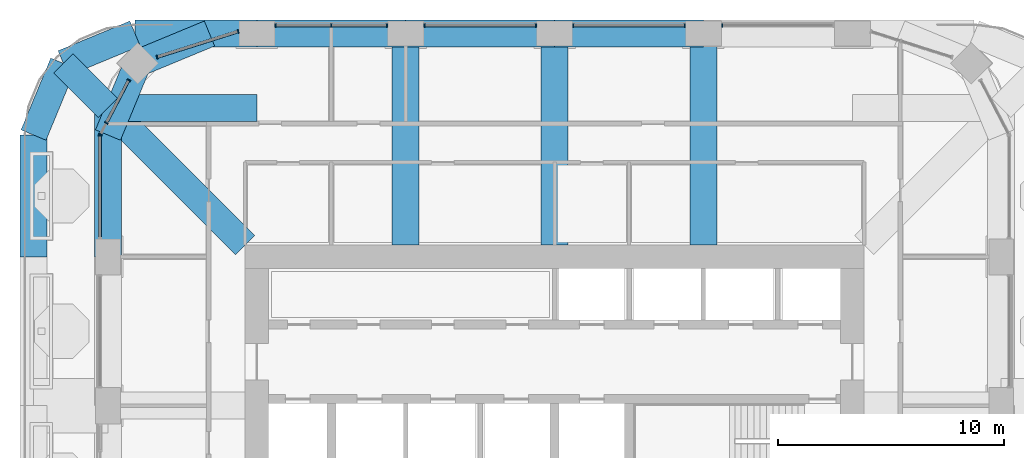
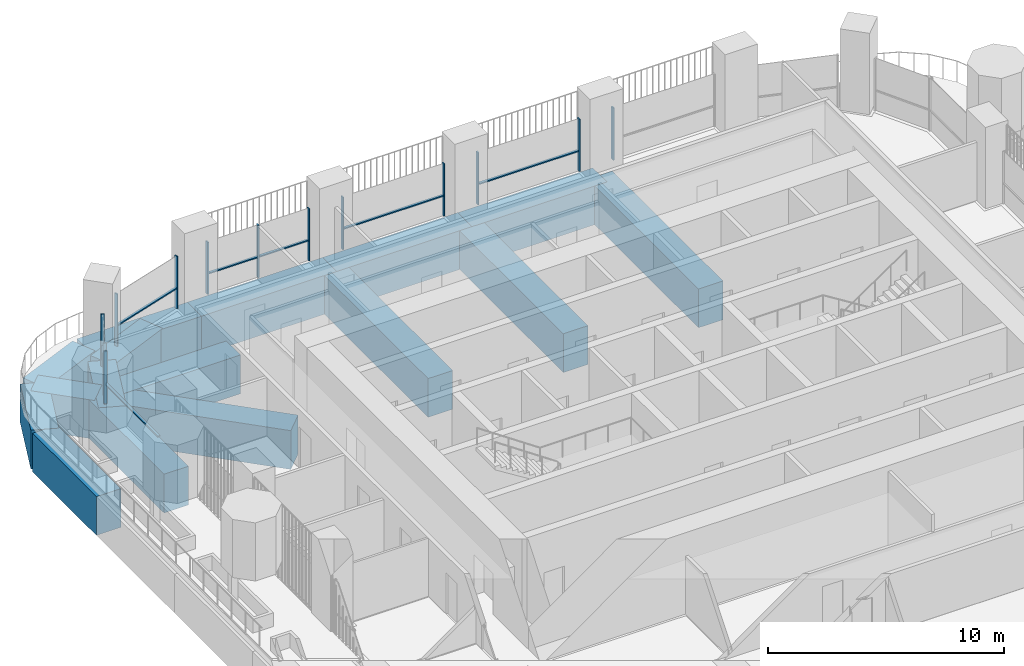
# One storey, part 6 of 24: 21 members, 16 beams, 7 elements without a shape of their own.
"""IFC4 building model written with IfcOpenShell, lengths in metres."""

from ifc_helpers import new_model, si_unit, direction, frame, origin, origin_2d, place, context, subcontext, project, spatial, rectangle, extrude, material, material_profile, profile_set, type_object, element, aggregate, save


model = new_model("IFC4")

# Units and contexts
model_context = context("Model", 3, precision=1e-05, world=origin(), true_north=direction((0.0, 1.0)))
body_context = subcontext(model_context, "Body", "Model", "MODEL_VIEW")
ifc_project = project(units=[si_unit("LENGTHUNIT", "METRE"), si_unit("AREAUNIT", "SQUARE_METRE"), si_unit("VOLUMEUNIT", "CUBIC_METRE"), si_unit("PLANEANGLEUNIT", "RADIAN"), si_unit("MASSUNIT", "GRAM", prefix="KILO")], contexts=[model_context])

# Site, building, storey
site_placement = place(None, origin())
site = spatial("IfcSite", under=ifc_project, at=site_placement, CompositionType="ELEMENT")
building_placement = place(site_placement, origin())
building = spatial("IfcBuilding", under=site, at=building_placement, Name="Cobogo Forest Laboratory Tower", CompositionType="ELEMENT")
storey_placement = place(building_placement, frame((0.0, 0.0, 229.199951171875)))
storey = spatial("IfcBuildingStorey", under=building, at=storey_placement, Name="L52", CompositionType="ELEMENT", Elevation=229.199951171875)

# Curtain wall, member
ifc_material_1 = material(Name="Aluminium curtain wall", Category="aluminium")
curtain_wall_type = type_object("IfcCurtainWallType", Name="CW-2 unitised curtain wall, solar control glazing, laboratory floors zones C and D", PredefinedType="USERDEFINED", material=ifc_material_1)
curtain_wall_1_placement = place(storey_placement, origin())
curtain_wall_1 = element("IfcCurtainWall", 1, at=curtain_wall_1_placement, inside=storey, type_object=curtain_wall_type, Name="Curtain wall 14 L52", ObjectType="UNITISED CURTAIN WALL", PredefinedType="USERDEFINED")
ifc_material_2 = material(Name="Aluminium mullion", Category="aluminium")
ifc_material_profile_1 = material_profile(ifc_material_2, rectangle(XDim=0.06005859375, YDim=0.159912109375, at=origin_2d()), Name="AL 60x160")
ifc_profile_set_1 = profile_set([ifc_material_profile_1], Name="Aluminium mullion")
member_type_1 = type_object("IfcMemberType", Name="MU-1 aluminium mullion 60x160", PredefinedType="MULLION", material=ifc_profile_set_1)
member_1_placement = place(storey_placement, frame((33.830078125, 43.25, 0.0), z_axis=(0.0, 0.0, 1.0), x_axis=(-1.0, 0.0, 0.0)))
member_1 = element("IfcMember", 2, at=member_1_placement, type_object=member_type_1, Name="CW-2 mullion 2", PredefinedType="MULLION", context=body_context, shape_type="SweptSolid", body=[
    extrude(rectangle(XDim=0.06005859375, YDim=0.159912109375, at=origin_2d()), origin(), (0.0, 0.0, 1.0), 2.699951171875),
])
aggregate(curtain_wall_1, [member_1])

# Curtain wall, members
curtain_wall_2_placement = place(storey_placement, origin())
curtain_wall_2 = element("IfcCurtainWall", 3, at=curtain_wall_2_placement, inside=storey, type_object=curtain_wall_type, Name="Curtain wall 15 L52", ObjectType="UNITISED CURTAIN WALL", PredefinedType="USERDEFINED")
member_2_placement = place(storey_placement, frame((32.169921875, 43.25, 0.0), z_axis=(0.0, 0.0, 1.0), x_axis=(-1.0, 0.0, 0.0)))
member_2 = element("IfcMember", 4, at=member_2_placement, type_object=member_type_1, Name="CW-2 mullion 1", PredefinedType="MULLION", context=body_context, shape_type="SweptSolid", body=[
    extrude(rectangle(XDim=0.06005859375, YDim=0.159912109375, at=origin_2d()), origin(), (0.0, 0.0, 1.0), 2.699951171875),
])
member_3_placement = place(storey_placement, frame((27.22998046875, 43.25, 0.0), z_axis=(0.0, 0.0, 1.0), x_axis=(-1.0, 0.0, 0.0)))
member_3 = element("IfcMember", 5, at=member_3_placement, type_object=member_type_1, Name="CW-2 mullion 2", PredefinedType="MULLION", context=body_context, shape_type="SweptSolid", body=[
    extrude(rectangle(XDim=0.06005859375, YDim=0.159912109375, at=origin_2d()), origin(), (0.0, 0.0, 1.0), 2.699951171875),
])

curtain_wall_3_placement = place(storey_placement, origin())
curtain_wall_3 = element("IfcCurtainWall", 6, at=curtain_wall_3_placement, inside=storey, type_object=curtain_wall_type, Name="Curtain wall 16 L52", ObjectType="UNITISED CURTAIN WALL", PredefinedType="USERDEFINED")
member_4_placement = place(storey_placement, frame((25.570068359375, 43.25, 0.0), z_axis=(0.0, 0.0, 1.0), x_axis=(-1.0, 0.0, 0.0)))
member_4 = element("IfcMember", 7, at=member_4_placement, type_object=member_type_1, Name="CW-2 mullion 1", PredefinedType="MULLION", context=body_context, shape_type="SweptSolid", body=[
    extrude(rectangle(XDim=0.06005859375, YDim=0.159912109375, at=origin_2d()), origin(), (0.0, 0.0, 1.0), 2.699951171875),
])
member_5_placement = place(storey_placement, frame((20.6298828125, 43.25, 0.0), z_axis=(0.0, 0.0, 1.0), x_axis=(-1.0, 0.0, 0.0)))
member_5 = element("IfcMember", 8, at=member_5_placement, type_object=member_type_1, Name="CW-2 mullion 2", PredefinedType="MULLION", context=body_context, shape_type="SweptSolid", body=[
    extrude(rectangle(XDim=0.06005859375, YDim=0.159912109375, at=origin_2d()), origin(), (0.0, 0.0, 1.0), 2.699951171875),
])

curtain_wall_4_placement = place(storey_placement, origin())
curtain_wall_4 = element("IfcCurtainWall", 9, at=curtain_wall_4_placement, inside=storey, type_object=curtain_wall_type, Name="Curtain wall 17 L52", ObjectType="UNITISED CURTAIN WALL", PredefinedType="USERDEFINED")
member_6_placement = place(storey_placement, frame((18.969970703125, 43.25, 0.0), z_axis=(0.0, 0.0, 1.0), x_axis=(-1.0, 0.0, 0.0)))
member_6 = element("IfcMember", 10, at=member_6_placement, type_object=member_type_1, Name="CW-2 mullion 1", PredefinedType="MULLION", context=body_context, shape_type="SweptSolid", body=[
    extrude(rectangle(XDim=0.06005859375, YDim=0.159912109375, at=origin_2d()), origin(), (0.0, 0.0, 1.0), 2.699951171875),
])
member_7_placement = place(storey_placement, frame((16.5, 43.25, 0.0), z_axis=(0.0, 0.0, 1.0), x_axis=(-1.0, 0.0, 0.0)))
member_7 = element("IfcMember", 11, at=member_7_placement, type_object=member_type_1, Name="CW-2 mullion 2", PredefinedType="MULLION", context=body_context, shape_type="SweptSolid", body=[
    extrude(rectangle(XDim=0.06005859375, YDim=0.159912109375, at=origin_2d()), origin(), (0.0, 0.0, 1.0), 2.699951171875),
])
member_8_placement = place(storey_placement, frame((14.030029296875, 43.25, 0.0), z_axis=(0.0, 0.0, 1.0), x_axis=(-1.0, 0.0, 0.0)))
member_8 = element("IfcMember", 12, at=member_8_placement, type_object=member_type_1, Name="CW-2 mullion 3", PredefinedType="MULLION", context=body_context, shape_type="SweptSolid", body=[
    extrude(rectangle(XDim=0.06005859375, YDim=0.159912109375, at=origin_2d()), origin(), (0.0, 0.0, 1.0), 2.699951171875),
])

curtain_wall_5_placement = place(storey_placement, origin())
curtain_wall_5 = element("IfcCurtainWall", 13, at=curtain_wall_5_placement, inside=storey, type_object=curtain_wall_type, Name="Curtain wall 18 L52", ObjectType="UNITISED CURTAIN WALL", PredefinedType="USERDEFINED")
member_9_placement = place(storey_placement, frame((12.371337890625, 42.98828125, 0.0), z_axis=(0.0, 0.0, 1.0), x_axis=(-0.953581351952, -0.301135526315, 0.0)))
member_9 = element("IfcMember", 14, at=member_9_placement, type_object=member_type_1, Name="CW-2 mullion 1", PredefinedType="MULLION", context=body_context, shape_type="SweptSolid", body=[
    extrude(rectangle(XDim=0.06005859375, YDim=0.159912109375, at=origin_2d()), origin(), (0.0, 0.0, 1.0), 2.699951171875),
])
member_10_placement = place(storey_placement, frame((8.784912109375, 41.855712890625, 0.0), z_axis=(0.0, 0.0, 1.0), x_axis=(-0.953581351952, -0.301135526315, 0.0)))
member_10 = element("IfcMember", 15, at=member_10_placement, type_object=member_type_1, Name="CW-2 mullion 2", PredefinedType="MULLION", context=body_context, shape_type="SweptSolid", body=[
    extrude(rectangle(XDim=0.06005859375, YDim=0.159912109375, at=origin_2d()), origin(), (0.0, 0.0, 1.0), 2.699951171875),
])

curtain_wall_6_placement = place(storey_placement, origin())
curtain_wall_6 = element("IfcCurtainWall", 16, at=curtain_wall_6_placement, inside=storey, type_object=curtain_wall_type, Name="Curtain wall 19 L52", ObjectType="UNITISED CURTAIN WALL", PredefinedType="USERDEFINED")
member_11_placement = place(storey_placement, frame((7.524658203125, 40.831787109375, 0.0), z_axis=(0.0, 0.0, 1.0), x_axis=(-0.464283685186, -0.885686547075, 0.0)))
member_11 = element("IfcMember", 17, at=member_11_placement, type_object=member_type_1, Name="CW-2 mullion 1", PredefinedType="MULLION", context=body_context, shape_type="SweptSolid", body=[
    extrude(rectangle(XDim=0.06005859375, YDim=0.159912109375, at=origin_2d()), origin(), (0.0, 0.0, 1.0), 2.699951171875),
])
member_12_placement = place(storey_placement, frame((6.531494140625, 38.937255859375, 0.0), z_axis=(0.0, 0.0, 1.0), x_axis=(-0.464283685186, -0.885686547075, 0.0)))
member_12 = element("IfcMember", 18, at=member_12_placement, type_object=member_type_1, Name="CW-2 mullion 2", PredefinedType="MULLION", context=body_context, shape_type="SweptSolid", body=[
    extrude(rectangle(XDim=0.06005859375, YDim=0.159912109375, at=origin_2d()), origin(), (0.0, 0.0, 1.0), 2.699951171875),
])
member_13_placement = place(storey_placement, frame((6.263916015625, 38.426513671875, 0.0), z_axis=(0.0, 0.0, 1.0), x_axis=(-0.464283685186, -0.885686547075, 0.0)))
member_13 = element("IfcMember", 19, at=member_13_placement, type_object=member_type_1, Name="CW-2 mullion 3", PredefinedType="MULLION", context=body_context, shape_type="SweptSolid", body=[
    extrude(rectangle(XDim=0.06005859375, YDim=0.159912109375, at=origin_2d()), origin(), (0.0, 0.0, 1.0), 2.699951171875),
])

# Curtain wall, member
curtain_wall_7_placement = place(storey_placement, origin())
curtain_wall_7 = element("IfcCurtainWall", 20, at=curtain_wall_7_placement, inside=storey, type_object=curtain_wall_type, Name="Curtain wall 20 L52", ObjectType="UNITISED CURTAIN WALL", PredefinedType="USERDEFINED")
member_14_placement = place(storey_placement, frame((6.25, 38.3701171875, 0.0), z_axis=(0.0, 0.0, 1.0), x_axis=(0.0, -1.0, 0.0)))
member_14 = element("IfcMember", 21, at=member_14_placement, type_object=member_type_1, Name="CW-2 mullion 1", PredefinedType="MULLION", context=body_context, shape_type="SweptSolid", body=[
    extrude(rectangle(XDim=0.06005859375, YDim=0.159912109375, at=origin_2d()), origin(), (0.0, 0.0, 1.0), 2.699951171875),
])

# Beams
ifc_material_3 = material(Name="Concrete HA-40 (C40/50)", Category="concrete")
ifc_material_profile_2 = material_profile(ifc_material_3, rectangle(XDim=1.199951171875, YDim=2.0, at=origin_2d()), Name="RC 1200x2000")
ifc_profile_set_2 = profile_set([ifc_material_profile_2], Name="Concrete HA-40 (C40/50)")
beam_type = type_object("IfcBeamType", Name="Setback floor girder 1200x2000", PredefinedType="BEAM", material=ifc_profile_set_2)
for number, where, z_axis, x_axis, name in (
    (22, (19.800048828125, 33.52490234375, -1.300048828125), (0.0, 1.0, 0.0), (-1.0, 0.0, 0.0), "TG2 R-4-N L52"),
    (23, (26.39990234375, 33.52490234375, -1.300048828125), (0.0, 1.0, 0.0), (-1.0, 0.0, 0.0), "TG2 R-5-N L52"),
    (24, (33.0, 33.52490234375, -1.300048828125), (0.0, 1.0, 0.0), (-1.0, 0.0, 0.0), "TG2 R-6-N L52"),
):
    element("IfcBeam", number, at=place(storey_placement, frame(where, z_axis=z_axis, x_axis=x_axis)), inside=storey, type_object=beam_type, Name=name, PredefinedType="BEAM", context=body_context, shape_type="SweptSolid", body=[
        extrude(rectangle(XDim=1.199951171875, YDim=2.0, at=origin_2d()), origin(), (0.0, 0.0, 1.0), 9.375),
    ])
beam_1_placement = place(storey_placement, frame((6.60009765625, 39.60009765625, -1.300048828125), z_axis=(0.0, -1.0, 0.0), x_axis=(1.0, 0.0, 0.0)))
element("IfcBeam", 25, at=beam_1_placement, inside=storey, type_object=beam_type, Name="TG2 G-NW-XC L52", PredefinedType="BEAM", context=body_context, shape_type="SweptSolid", body=[
    extrude(rectangle(XDim=1.199951171875, YDim=2.0, at=origin_2d()), origin(), (0.0, 0.0, 1.0), 6.60009765625),
])
beam_2_placement = place(storey_placement, frame((6.60009765625, 39.60009765625, -1.300048828125), z_axis=(1.0, 0.0, 0.0), x_axis=(0.0, 1.0, 0.0)))
element("IfcBeam", 26, at=beam_2_placement, inside=storey, type_object=beam_type, Name="TG2 G-NW-YC L52", PredefinedType="BEAM", context=body_context, shape_type="SweptSolid", body=[
    extrude(rectangle(XDim=1.199951171875, YDim=2.0, at=origin_2d()), origin(), (0.0, 0.0, 1.0), 6.599853515625),
])
beam_3_placement = place(storey_placement, frame((4.617919921875, 41.58203125, -1.300048828125), z_axis=(0.707150328948, -0.707063230743, 0.0), x_axis=(0.707063230743, 0.707150328948, 0.0)))
element("IfcBeam", 27, at=beam_3_placement, inside=storey, type_object=beam_type, Name="TG2 G-NW-D1 L52", PredefinedType="BEAM", context=body_context, shape_type="SweptSolid", body=[
    extrude(rectangle(XDim=1.199951171875, YDim=2.0, at=origin_2d()), origin(), (0.0, 0.0, 1.0), 2.802978515625),
])
beam_4_placement = place(storey_placement, frame((6.60009765625, 39.60009765625, -1.300048828125), z_axis=(0.707092572697, -0.70712098939, 0.0), x_axis=(0.70712098939, 0.707092572697, 0.0)))
element("IfcBeam", 28, at=beam_4_placement, inside=storey, type_object=beam_type, Name="TG2 G-NW-D2 L52", PredefinedType="BEAM", context=body_context, shape_type="SweptSolid", body=[
    extrude(rectangle(XDim=1.199951171875, YDim=2.0, at=origin_2d()), origin(), (0.0, 0.0, 1.0), 8.591552734375),
])
beam_5_placement = place(storey_placement, frame((13.199951171875, 42.89990234375, -1.300048828125), z_axis=(1.0, 0.0, 0.0), x_axis=(0.0, 1.0, 0.0)))
element("IfcBeam", 29, at=beam_5_placement, inside=storey, type_object=beam_type, Name="TG2 E-N1 L52", PredefinedType="BEAM", context=body_context, shape_type="SweptSolid", body=[
    extrude(rectangle(XDim=1.199951171875, YDim=2.0, at=origin_2d()), origin(), (0.0, 0.0, 1.0), 6.60009765625),
])
beam_6_placement = place(storey_placement, frame((19.800048828125, 42.89990234375, -1.300048828125), z_axis=(1.0, 0.0, 0.0), x_axis=(0.0, 1.0, 0.0)))
element("IfcBeam", 30, at=beam_6_placement, inside=storey, type_object=beam_type, Name="TG2 E-N2 L52", PredefinedType="BEAM", context=body_context, shape_type="SweptSolid", body=[
    extrude(rectangle(XDim=1.199951171875, YDim=2.0, at=origin_2d()), origin(), (0.0, 0.0, 1.0), 6.599853515625),
])
beam_7_placement = place(storey_placement, frame((26.39990234375, 42.89990234375, -1.300048828125), z_axis=(1.0, 0.0, 0.0), x_axis=(0.0, 1.0, 0.0)))
element("IfcBeam", 31, at=beam_7_placement, inside=storey, type_object=beam_type, Name="TG2 E-N3 L52", PredefinedType="BEAM", context=body_context, shape_type="SweptSolid", body=[
    extrude(rectangle(XDim=1.199951171875, YDim=2.0, at=origin_2d()), origin(), (0.0, 0.0, 1.0), 6.60009765625),
])
beam_8_placement = place(storey_placement, frame((13.199951171875, 42.89990234375, -1.300048828125), z_axis=(-1.0, 0.0, 0.0), x_axis=(0.0, -1.0, 0.0)))
element("IfcBeam", 32, at=beam_8_placement, inside=storey, type_object=beam_type, Name="TG2 E-NWN1 L52", PredefinedType="BEAM", context=body_context, shape_type="SweptSolid", body=[
    extrude(rectangle(XDim=1.199951171875, YDim=2.0, at=origin_2d()), origin(), (0.0, 0.0, 1.0), 5.39990234375),
])
beam_9_placement = place(storey_placement, frame((7.800048828125, 42.89990234375, -1.300048828125), z_axis=(-0.923901072997, -0.382631424892, 0.0), x_axis=(0.382631424892, -0.923901072997, 0.0)))
element("IfcBeam", 33, at=beam_9_placement, inside=storey, type_object=beam_type, Name="TG2 E-NWN2 L52", PredefinedType="BEAM", context=body_context, shape_type="SweptSolid", body=[
    extrude(rectangle(XDim=1.199951171875, YDim=2.0, at=origin_2d()), origin(), (0.0, 0.0, 1.0), 3.4443359375),
])
beam_10_placement = place(storey_placement, frame((3.300048828125, 33.0, -1.300048828125), z_axis=(0.0, 1.0, 0.0), x_axis=(-1.0, 0.0, 0.0)))
element("IfcBeam", 34, at=beam_10_placement, inside=storey, type_object=beam_type, Name="TG2 E-NWW1 L52", PredefinedType="BEAM", context=body_context, shape_type="SweptSolid", body=[
    extrude(rectangle(XDim=1.199951171875, YDim=2.0, at=origin_2d()), origin(), (0.0, 0.0, 1.0), 5.39990234375),
])
for number, where, z_axis, x_axis, name in (
    (35, (3.300048828125, 38.39990234375, -1.300048828125), (0.382631424892, 0.923901072997, 0.0), (-0.923901072997, 0.382631424892, 0.0), "TG2 E-NWW2 L52"),
    (36, (11.10009765625, 42.89990234375, -1.300048828125), (-0.923901072997, -0.382631424892, 0.0), (0.382631424892, -0.923901072997, 0.0), "TG2 UE-NWN2 L52"),
    (37, (6.60009765625, 38.39990234375, -1.300048828125), (0.382631424892, 0.923901072997, 0.0), (-0.923901072997, 0.382631424892, 0.0), "TG2 UE-NWW2 L52"),
):
    element("IfcBeam", number, at=place(storey_placement, frame(where, z_axis=z_axis, x_axis=x_axis)), inside=storey, type_object=beam_type, Name=name, PredefinedType="BEAM", context=body_context, shape_type="SweptSolid", body=[
        extrude(rectangle(XDim=1.199951171875, YDim=2.0, at=origin_2d()), origin(), (0.0, 0.0, 1.0), 3.4443359375),
    ])

# Member
ifc_material_4 = material(Name="Aluminium transom", Category="aluminium")
ifc_material_profile_3 = material_profile(ifc_material_4, rectangle(XDim=0.1201171875, YDim=0.06005859375, at=origin_2d()), Name="AL 60x120")
ifc_profile_set_3 = profile_set([ifc_material_profile_3], Name="Aluminium transom")
member_type_2 = type_object("IfcMemberType", Name="TR-1 aluminium transom 60x120", PredefinedType="USERDEFINED", material=ifc_profile_set_3)
member_15_placement = place(storey_placement, frame((32.139892578125, 43.25, 1.050048828125), z_axis=(-1.0, 0.0, 0.0), x_axis=(0.0, -1.0, 0.0)))
member_15 = element("IfcMember", 38, at=member_15_placement, type_object=member_type_2, Name="CW-2 transom 1.1", ObjectType="TRANSOM", PredefinedType="USERDEFINED", context=body_context, shape_type="SweptSolid", body=[
    extrude(rectangle(XDim=0.1201171875, YDim=0.06005859375, at=origin_2d()), origin(), (0.0, 0.0, 1.0), 4.8798828125),
])

aggregate(curtain_wall_2, [member_2, member_3, member_15])

member_16_placement = place(storey_placement, frame((25.5400390625, 43.25, 1.050048828125), z_axis=(-1.0, 0.0, 0.0), x_axis=(0.0, -1.0, 0.0)))
member_16 = element("IfcMember", 39, at=member_16_placement, type_object=member_type_2, Name="CW-2 transom 1.1", ObjectType="TRANSOM", PredefinedType="USERDEFINED", context=body_context, shape_type="SweptSolid", body=[
    extrude(rectangle(XDim=0.1201171875, YDim=0.06005859375, at=origin_2d()), origin(), (0.0, 0.0, 1.0), 4.880126953125),
])

aggregate(curtain_wall_3, [member_4, member_5, member_16])

member_17_placement = place(storey_placement, frame((18.93994140625, 43.25, 1.050048828125), z_axis=(-1.0, 0.0, 0.0), x_axis=(0.0, -1.0, 0.0)))
member_17 = element("IfcMember", 40, at=member_17_placement, type_object=member_type_2, Name="CW-2 transom 1.1", ObjectType="TRANSOM", PredefinedType="USERDEFINED", context=body_context, shape_type="SweptSolid", body=[
    extrude(rectangle(XDim=0.1201171875, YDim=0.06005859375, at=origin_2d()), origin(), (0.0, 0.0, 1.0), 2.409912109375),
])

member_18_placement = place(storey_placement, frame((16.469970703125, 43.25, 1.050048828125), z_axis=(-1.0, 0.0, 0.0), x_axis=(0.0, -1.0, 0.0)))
member_18 = element("IfcMember", 41, at=member_18_placement, type_object=member_type_2, Name="CW-2 transom 2.1", ObjectType="TRANSOM", PredefinedType="USERDEFINED", context=body_context, shape_type="SweptSolid", body=[
    extrude(rectangle(XDim=0.1201171875, YDim=0.06005859375, at=origin_2d()), origin(), (0.0, 0.0, 1.0), 2.409912109375),
])

aggregate(curtain_wall_4, [member_6, member_7, member_8, member_17, member_18])

member_19_placement = place(storey_placement, frame((12.3427734375, 42.979248046875, 1.050048828125), z_axis=(-0.953583662074, -0.301128210941, 0.0), x_axis=(0.301128210941, -0.953583662074, 0.0)))
member_19 = element("IfcMember", 42, at=member_19_placement, type_object=member_type_2, Name="CW-2 transom 1.1", ObjectType="TRANSOM", PredefinedType="USERDEFINED", context=body_context, shape_type="SweptSolid", body=[
    extrude(rectangle(XDim=0.1201171875, YDim=0.06005859375, at=origin_2d()), origin(), (0.0, 0.0, 1.0), 3.701171875),
])

aggregate(curtain_wall_5, [member_9, member_10, member_19])

member_20_placement = place(storey_placement, frame((7.5107421875, 40.80517578125, 1.050048828125), z_axis=(-0.464274613532, -0.885691302447, 0.0), x_axis=(0.885691302447, -0.464274613532, 0.0)))
member_20 = element("IfcMember", 43, at=member_20_placement, type_object=member_type_2, Name="CW-2 transom 1.1", ObjectType="TRANSOM", PredefinedType="USERDEFINED", context=body_context, shape_type="SweptSolid", body=[
    extrude(rectangle(XDim=0.1201171875, YDim=0.06005859375, at=origin_2d()), origin(), (0.0, 0.0, 1.0), 2.079345703125),
])

aggregate(curtain_wall_6, [member_11, member_12, member_13, member_20])

member_21_placement = place(storey_placement, frame((6.25, 38.340087890625, 1.050048828125), z_axis=(0.0, -1.0, 0.0), x_axis=(1.0, 0.0, 0.0)))
member_21 = element("IfcMember", 44, at=member_21_placement, type_object=member_type_2, Name="CW-2 transom 1.1", ObjectType="TRANSOM", PredefinedType="USERDEFINED", context=body_context, shape_type="SweptSolid", body=[
    extrude(rectangle(XDim=0.1201171875, YDim=0.06005859375, at=origin_2d()), origin(), (0.0, 0.0, 1.0), 4.47998046875),
])

aggregate(curtain_wall_7, [member_14, member_21])

save(model, "model.ifc")
